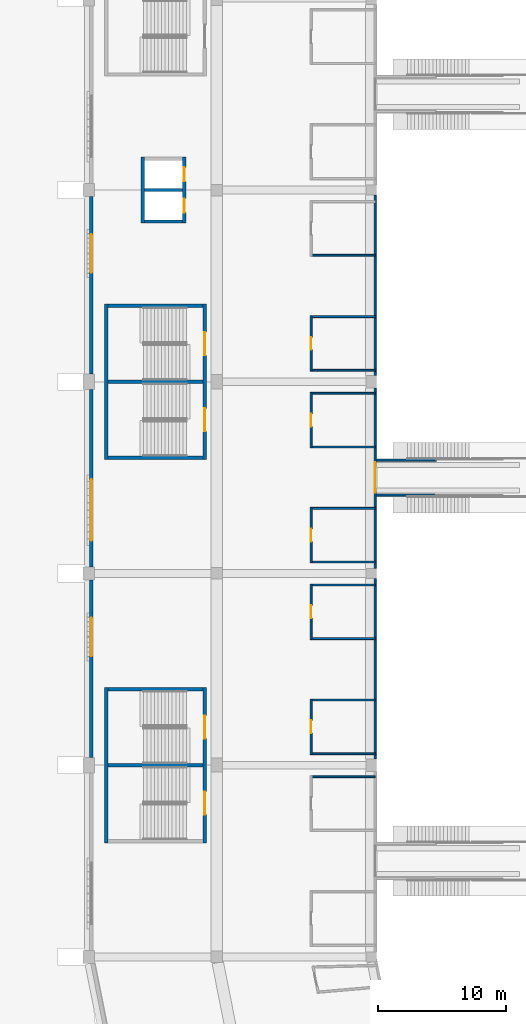
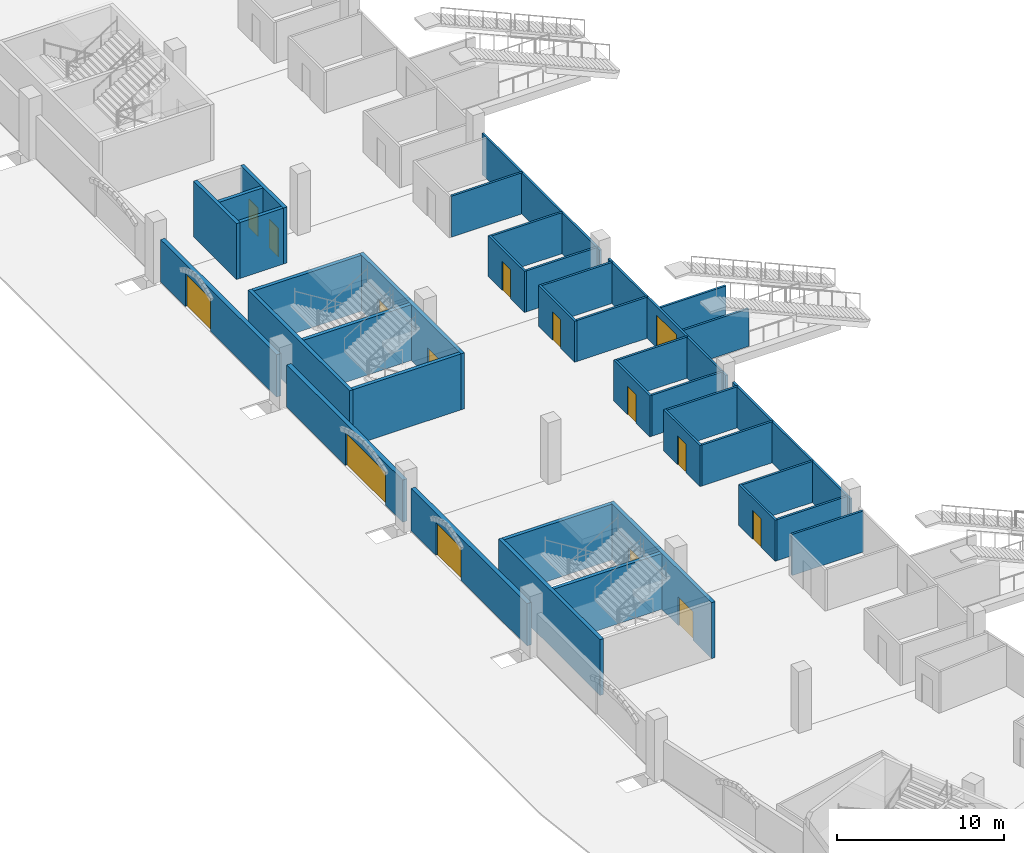
# One storey, part 30 of 175: 38 walls, 15 doors, 15 openings.
"""IFC4 building model written with IfcOpenShell, lengths in metres."""

import ifcopenshell
import ifcopenshell.guid

model = None  # the IFC model being written
_history = None  # IfcOwnerHistory: only IFC2X3 demands one
_inside = {}  # id of a spatial element -> (the spatial element, [elements in it])
_under = {}  # id of a project, library or spatial element -> (it, [spatial elements below it])
_declared = {}  # id of a project -> (the project, [libraries it declares])
_typed = {}  # id of a type object -> (the type object, [elements of that type])
_made_of = {}  # id of a material, layer set ... -> (it, [elements and type objects made of it])


def new_model(schema):
    """Start an empty IFC model of exactly this schema.

    Asked for "IFC4X3", IfcOpenShell would pick the latest addendum, in which some entities
    have other attributes; the version numbers below select the first issue.
    IFC2X3 requires an IfcOwnerHistory on every rooted entity: one is made here for all.
    """
    global model, _history
    if schema == "IFC4X3":
        model = ifcopenshell.file(schema_version=(4, 3, 0, 0))
    else:
        model = ifcopenshell.file(schema=schema)
    _inside.clear()
    _under.clear()
    _declared.clear()
    _typed.clear()
    _made_of.clear()
    _history = None
    if model.schema == "IFC2X3":
        org = make("IfcOrganization", Name="unknown")
        user = make(
            "IfcPersonAndOrganization",
            ThePerson=make("IfcPerson", FamilyName="unknown"),
            TheOrganization=org,
        )
        app = make(
            "IfcApplication",
            ApplicationDeveloper=org,
            Version="unknown",
            ApplicationFullName="unknown",
            ApplicationIdentifier="unknown",
        )
        _history = make(
            "IfcOwnerHistory",
            OwningUser=user,
            OwningApplication=app,
            ChangeAction="ADDED",
            CreationDate=0,
        )
    return model


def make(cls, **values):
    """One entity of the class cls with the attributes given. An attribute that is None is left unset."""
    return model.create_entity(
        cls, **{name: value for name, value in values.items() if value is not None}
    )


def rooted(cls, **values):
    """An entity with a GlobalId (a new one), such as an element, a storey or a relation."""
    return make(cls, GlobalId=ifcopenshell.guid.new(), OwnerHistory=_history, **values)


def si_unit(unit_type, name, prefix=None):
    """IfcSIUnit, for example si_unit("LENGTHUNIT", "METRE", prefix="MILLI")."""
    return make("IfcSIUnit", UnitType=unit_type, Prefix=prefix, Name=name)


def assignment(units):
    """IfcUnitAssignment: the units of a project."""
    return None if units is None else make("IfcUnitAssignment", Units=units)


def point(xyz):
    """IfcCartesianPoint."""
    return None if xyz is None else make("IfcCartesianPoint", Coordinates=xyz)


def direction(xyz):
    """IfcDirection."""
    return None if xyz is None else make("IfcDirection", DirectionRatios=xyz)


def frame(location, z_axis=None, x_axis=None):
    """IfcAxis2Placement3D, a coordinate frame: its origin and axes. An axis left out is left unset."""
    return make(
        "IfcAxis2Placement3D",
        Location=point(location),
        Axis=direction(z_axis),
        RefDirection=direction(x_axis),
    )


def frame_2d(location, x_axis=None):
    """IfcAxis2Placement2D, a coordinate frame in the plane: its origin and x axis."""
    return make(
        "IfcAxis2Placement2D", Location=point(location), RefDirection=direction(x_axis)
    )


def origin():
    """The frame at (0, 0, 0) with its axes left unset."""
    return frame((0.0, 0.0, 0.0))


def place(relative_to, where):
    """IfcLocalPlacement: puts the frame where relative to a parent placement (None: the world)."""
    return make(
        "IfcLocalPlacement", PlacementRelTo=relative_to, RelativePlacement=where
    )


def context(
    kind, dimensions, precision=None, world=None, true_north=None, identifier=None
):
    """IfcGeometricRepresentationContext, for example the 3D "Model" context."""
    return make(
        "IfcGeometricRepresentationContext",
        ContextIdentifier=identifier,
        ContextType=kind,
        CoordinateSpaceDimension=dimensions,
        Precision=precision,
        WorldCoordinateSystem=world,
        TrueNorth=true_north,
    )


def subcontext(parent, identifier, kind, view, scale=None):
    """IfcGeometricRepresentationSubContext, for example "Body" below "Model"."""
    return make(
        "IfcGeometricRepresentationSubContext",
        ContextIdentifier=identifier,
        ContextType=kind,
        ParentContext=parent,
        TargetScale=scale,
        TargetView=view,
    )


def project(units=None, contexts=None):
    """IfcProject with its units and contexts."""
    return rooted(
        "IfcProject",
        Name="project",
        RepresentationContexts=contexts,
        UnitsInContext=assignment(units),
    )


def spatial(cls, under=None, at=None, **own):
    """A site, building, storey or space (cls), placed at a placement, below another one or the project."""
    s = rooted(cls, ObjectPlacement=at, **own)
    if under is not None:
        _under.setdefault(under.id(), (under, []))[1].append(s)
    return s


def profile(cls, at=None, kind="AREA", **sizes):
    """A parametric profile (cls). Its sizes go by their IFC names, for example OverallWidth=200.0."""
    return make(cls, ProfileType=kind, Position=at, **sizes)


def rectangle(**sizes):
    """IfcRectangleProfileDef."""
    return profile("IfcRectangleProfileDef", **sizes)


def extrude(swept, where, along, depth):
    """IfcExtrudedAreaSolid: the profile swept, set in the frame where, extruded along a direction by depth."""
    return make(
        "IfcExtrudedAreaSolid",
        SweptArea=swept,
        Position=where,
        ExtrudedDirection=direction(along),
        Depth=depth,
    )


def shape(context_of_items, identifier, shape_type, items):
    """IfcShapeRepresentation: the items that make up one representation, for example the "Body"."""
    return make(
        "IfcShapeRepresentation",
        ContextOfItems=context_of_items,
        RepresentationIdentifier=identifier,
        RepresentationType=shape_type,
        Items=items,
    )


def material(Name=None, Category=None):
    """IfcMaterial."""
    return make("IfcMaterial", Name=Name, Category=Category)


def layer(
    of_material, thickness, ventilated=None, Name=None, Category=None, Priority=None
):
    """IfcMaterialLayer: one layer of a wall or slab, of a material (None: an air gap)."""
    return make(
        "IfcMaterialLayer",
        Material=of_material,
        LayerThickness=thickness,
        IsVentilated=ventilated,
        Name=Name,
        Category=Category,
        Priority=Priority,
    )


def layer_set(layers, Name=None):
    """IfcMaterialLayerSet."""
    return make("IfcMaterialLayerSet", MaterialLayers=layers, LayerSetName=Name)


def made_of(thing, what):
    """Note that an element or type object is made of a material, layer set ...; save() writes the relation."""
    if what is not None:
        _made_of.setdefault(what.id(), (what, []))[1].append(thing)
    return thing


def type_object(cls, material=None, **own):
    """A type object (cls), such as IfcWallType, which elements share."""
    return made_of(rooted(cls, **own), material)


def element(
    cls,
    number,
    at=None,
    inside=None,
    cuts=None,
    type_object=None,
    material=None,
    context=None,
    identifier="Body",
    shape_type=None,
    held_by="IfcProductDefinitionShape",
    body=None,
    shapes=None,
    **own,
):
    """One element of the class cls, such as IfcWall. Its Tag is "e" and its number.

    at: its placement. inside: the storey or other place that contains it. cuts: it is an
    opening in that element (IfcRelVoidsElement). A single representation is given by context,
    identifier, shape_type and body (its items); several are given by shapes. held_by: the class
    of the entity that holds the representations. save() writes the other relations.
    """
    e = rooted(cls, Tag="e%d" % number, ObjectPlacement=at, **own)
    if body is not None:
        shapes = [shape(context, identifier, shape_type, body)]
    if shapes is not None:
        e.Representation = make(held_by, Representations=shapes)
    if inside is not None:
        _inside.setdefault(inside.id(), (inside, []))[1].append(e)
    if cuts is not None:
        rooted(
            "IfcRelVoidsElement", RelatingBuildingElement=cuts, RelatedOpeningElement=e
        )
    if type_object is not None:
        _typed.setdefault(type_object.id(), (type_object, []))[1].append(e)
    return made_of(e, material)


def fill(opening, filler):
    """IfcRelFillsElement: the door or window that sits in an opening."""
    return rooted(
        "IfcRelFillsElement",
        RelatingOpeningElement=opening,
        RelatedBuildingElement=filler,
    )


def aggregate(whole, parts):
    """IfcRelAggregates: a whole, such as a stair, and the parts it consists of."""
    return rooted("IfcRelAggregates", RelatingObject=whole, RelatedObjects=parts)


def save(model, path):
    """Write the relations noted so far, then the file.

    IfcRelAggregates (storeys below a building ...), IfcRelContainedInSpatialStructure (elements
    in a storey), IfcRelDefinesByType, IfcRelAssociatesMaterial and IfcRelDeclares: one each for
    every whole, place, type object, material and project.
    """
    for whole, parts in _under.values():
        aggregate(whole, parts)
    for where, things in _inside.values():
        rooted(
            "IfcRelContainedInSpatialStructure",
            RelatedElements=things,
            RelatingStructure=where,
        )
    for kind, things in _typed.values():
        rooted("IfcRelDefinesByType", RelatedObjects=things, RelatingType=kind)
    for what, things in _made_of.values():
        rooted("IfcRelAssociatesMaterial", RelatedObjects=things, RelatingMaterial=what)
    for by, libraries in _declared.values():
        rooted("IfcRelDeclares", RelatingContext=by, RelatedDefinitions=libraries)
    model.write(path)


model = new_model("IFC4")

# Units and contexts
model_context = context("Model", 3, precision=1e-05, world=origin(), true_north=direction((0.0, 1.0)))
body_context = subcontext(model_context, "Body", "Model", "MODEL_VIEW")
ifc_project = project(units=[si_unit("LENGTHUNIT", "METRE"), si_unit("AREAUNIT", "SQUARE_METRE"), si_unit("VOLUMEUNIT", "CUBIC_METRE"), si_unit("PLANEANGLEUNIT", "RADIAN"), si_unit("MASSUNIT", "GRAM", prefix="KILO")], contexts=[model_context])

# Site, building, storey
site_placement = place(None, origin())
site = spatial("IfcSite", under=ifc_project, at=site_placement, CompositionType="ELEMENT")
building_placement = place(site_placement, origin())
building = spatial("IfcBuilding", under=site, at=building_placement, Name="Ogive Plaza Stadium", CompositionType="ELEMENT")
storey_placement = place(building_placement, origin())
storey = spatial("IfcBuildingStorey", under=building, at=storey_placement, Name="L00", CompositionType="ELEMENT", Elevation=0.0)

# Wall
ifc_material_1 = material(Name="Masonry blockwork", Category="masonry")
ifc_layer_1 = layer(ifc_material_1, 0.14990234375)
ifc_layer_set_1 = layer_set([ifc_layer_1], Name="Blockwork wall 150")
wall_type_1 = type_object("IfcWallType", Name="Blockwork wall 150", PredefinedType="SOLIDWALL", material=ifc_layer_set_1)
wall_1_placement = place(storey_placement, frame((-61.60009765625, -38.39990234375, 0.0), z_axis=(0.0, 0.0, 1.0), x_axis=(-1.0, 0.0, 0.0)))
element("IfcWall", 1, at=wall_1_placement, inside=storey, type_object=wall_type_1, Name="Wall L00 B21", PredefinedType="SOLIDWALL", context=body_context, shape_type="SweptSolid", body=[
    extrude(rectangle(XDim=4.9248046875, YDim=0.14990234375, at=frame_2d((2.46240234375, 0.0))), origin(), (0.0, 0.0, 1.0), 3.0),
])

# Wall, opening, door
wall_2_placement = place(storey_placement, frame((-66.60009765625, -36.675048828125, 0.0), z_axis=(0.0, 0.0, 1.0), x_axis=(0.0, 1.0, 0.0)))
wall_2 = element("IfcWall", 2, at=wall_2_placement, inside=storey, type_object=wall_type_1, Name="Wall L00 B22", PredefinedType="SOLIDWALL", context=body_context, shape_type="SweptSolid", body=[
    extrude(rectangle(XDim=4.35009765625, YDim=0.14990234375, at=frame_2d((2.175048828125, 0.0))), origin(), (0.0, 0.0, 1.0), 3.0),
])
opening_1_placement = place(wall_2_placement, frame((1.675048828125, 0.0, 0.0)))
opening_1 = element("IfcOpeningElement", 3, at=opening_1_placement, cuts=wall_2, Name="Opening D0424", PredefinedType="OPENING", context=body_context, shape_type="SweptSolid", body=[
    extrude(rectangle(XDim=1.0, YDim=2.10009765625, at=frame_2d((0.5, 1.050048828125))), frame((0.0, 0.074951171875, 0.0), z_axis=(0.0, -1.0, 0.0), x_axis=(1.0, 0.0, 0.0)), (0.0, 0.0, 1.0), 0.14990234375),
])
ifc_material_2 = material(Name="Steel ASTM A572 Grade 50", Category="steel")
door_type_1 = type_object("IfcDoorType", Name="Door 1000 x 2100", OperationType="SINGLE_SWING_LEFT", PredefinedType="DOOR", material=ifc_material_2)
door_1_placement = place(opening_1_placement, origin())
door_1 = element("IfcDoor", 4, at=door_1_placement, inside=storey, type_object=door_type_1, Name="Concession Stand B22 door", OperationType="SINGLE_SWING_LEFT", OverallHeight=2.10009765625, OverallWidth=1.0, PredefinedType="DOOR", context=body_context, shape_type="SweptSolid", body=[
    extrude(rectangle(XDim=1.0, YDim=2.10009765625, at=frame_2d((0.5, 1.050048828125))), frame((0.0, 0.02490234375, 0.0), z_axis=(0.0, -1.0, 0.0), x_axis=(1.0, 0.0, 0.0)), (0.0, 0.0, 1.0), 0.050048828125),
])
fill(opening_1, door_1)

# Walls
for number, where, z_axis, x_axis, name in (
    (5, (-61.60009765625, -36.60009765625, 0.0), (0.0, 0.0, 1.0), (-1.0, 0.0, 0.0), "Wall L00 B22"),
    (6, (-61.60009765625, -32.39990234375, 0.0), (0.0, 0.0, 1.0), (-1.0, 0.0, 0.0), "Wall L00 B22"),
):
    element("IfcWall", number, at=place(storey_placement, frame(where, z_axis=z_axis, x_axis=x_axis)), inside=storey, type_object=wall_type_1, Name=name, PredefinedType="SOLIDWALL", context=body_context, shape_type="SweptSolid", body=[
        extrude(rectangle(XDim=4.9248046875, YDim=0.14990234375, at=frame_2d((2.46240234375, 0.0))), origin(), (0.0, 0.0, 1.0), 3.0),
    ])

# Wall, opening, door
wall_3_placement = place(storey_placement, frame((-66.60009765625, -27.675048828125, 0.0), z_axis=(0.0, 0.0, 1.0), x_axis=(0.0, 1.0, 0.0)))
wall_3 = element("IfcWall", 7, at=wall_3_placement, inside=storey, type_object=wall_type_1, Name="Wall L00 B22", PredefinedType="SOLIDWALL", context=body_context, shape_type="SweptSolid", body=[
    extrude(rectangle(XDim=4.35009765625, YDim=0.14990234375, at=frame_2d((2.175048828125, 0.0))), origin(), (0.0, 0.0, 1.0), 3.0),
])
opening_2_placement = place(wall_3_placement, frame((1.675048828125, 0.0, 0.0)))
opening_2 = element("IfcOpeningElement", 8, at=opening_2_placement, cuts=wall_3, Name="Opening D0425", PredefinedType="OPENING", context=body_context, shape_type="SweptSolid", body=[
    extrude(rectangle(XDim=1.0, YDim=2.10009765625, at=frame_2d((0.5, 1.050048828125))), frame((0.0, 0.074951171875, 0.0), z_axis=(0.0, -1.0, 0.0), x_axis=(1.0, 0.0, 0.0)), (0.0, 0.0, 1.0), 0.14990234375),
])
door_2_placement = place(opening_2_placement, origin())
door_2 = element("IfcDoor", 9, at=door_2_placement, inside=storey, type_object=door_type_1, Name="Concession Stand B22 door", OperationType="SINGLE_SWING_RIGHT", OverallHeight=2.10009765625, OverallWidth=1.0, PredefinedType="DOOR", context=body_context, shape_type="SweptSolid", body=[
    extrude(rectangle(XDim=1.0, YDim=2.10009765625, at=frame_2d((0.5, 1.050048828125))), frame((0.0, 0.02490234375, 0.0), z_axis=(0.0, -1.0, 0.0), x_axis=(1.0, 0.0, 0.0)), (0.0, 0.0, 1.0), 0.050048828125),
])
fill(opening_2, door_2)

# Walls
for number, where, z_axis, x_axis, name in (
    (10, (-61.60009765625, -27.60009765625, 0.0), (0.0, 0.0, 1.0), (-1.0, 0.0, 0.0), "Wall L00 B22"),
    (11, (-61.60009765625, -23.39990234375, 0.0), (0.0, 0.0, 1.0), (-1.0, 0.0, 0.0), "Wall L00 B22"),
):
    element("IfcWall", number, at=place(storey_placement, frame(where, z_axis=z_axis, x_axis=x_axis)), inside=storey, type_object=wall_type_1, Name=name, PredefinedType="SOLIDWALL", context=body_context, shape_type="SweptSolid", body=[
        extrude(rectangle(XDim=4.9248046875, YDim=0.14990234375, at=frame_2d((2.46240234375, 0.0))), origin(), (0.0, 0.0, 1.0), 3.0),
    ])

# Wall, opening, door
wall_4_placement = place(storey_placement, frame((-66.60009765625, -8.324951171875, 0.0), z_axis=(0.0, 0.0, 1.0), x_axis=(0.0, -1.0, 0.0)))
wall_4 = element("IfcWall", 12, at=wall_4_placement, inside=storey, type_object=wall_type_1, Name="Wall L00 B23", PredefinedType="SOLIDWALL", context=body_context, shape_type="SweptSolid", body=[
    extrude(rectangle(XDim=4.35009765625, YDim=0.14990234375, at=frame_2d((2.175048828125, 0.0))), origin(), (0.0, 0.0, 1.0), 3.0),
])
opening_3_placement = place(wall_4_placement, frame((1.675048828125, 0.0, 0.0)))
opening_3 = element("IfcOpeningElement", 13, at=opening_3_placement, cuts=wall_4, Name="Opening D0426", PredefinedType="OPENING", context=body_context, shape_type="SweptSolid", body=[
    extrude(rectangle(XDim=1.0, YDim=2.10009765625, at=frame_2d((0.5, 1.050048828125))), frame((0.0, 0.074951171875, 0.0), z_axis=(0.0, -1.0, 0.0), x_axis=(1.0, 0.0, 0.0)), (0.0, 0.0, 1.0), 0.14990234375),
])
door_3_placement = place(opening_3_placement, origin())
door_3 = element("IfcDoor", 14, at=door_3_placement, inside=storey, type_object=door_type_1, Name="Concession Stand B23 door", OperationType="SINGLE_SWING_RIGHT", OverallHeight=2.10009765625, OverallWidth=1.0, PredefinedType="DOOR", context=body_context, shape_type="SweptSolid", body=[
    extrude(rectangle(XDim=1.0, YDim=2.10009765625, at=frame_2d((0.5, 1.050048828125))), frame((0.0, 0.02490234375, 0.0), z_axis=(0.0, -1.0, 0.0), x_axis=(1.0, 0.0, 0.0)), (0.0, 0.0, 1.0), 0.050048828125),
])
fill(opening_3, door_3)

# Walls
for number, where, z_axis, x_axis, name in (
    (15, (-61.60009765625, -8.39990234375, 0.0), (0.0, 0.0, 1.0), (-1.0, 0.0, 0.0), "Wall L00 B23"),
    (16, (-61.60009765625, -12.60009765625, 0.0), (0.0, 0.0, 1.0), (-1.0, 0.0, 0.0), "Wall L00 B23"),
):
    element("IfcWall", number, at=place(storey_placement, frame(where, z_axis=z_axis, x_axis=x_axis)), inside=storey, type_object=wall_type_1, Name=name, PredefinedType="SOLIDWALL", context=body_context, shape_type="SweptSolid", body=[
        extrude(rectangle(XDim=4.9248046875, YDim=0.14990234375, at=frame_2d((2.46240234375, 0.0))), origin(), (0.0, 0.0, 1.0), 3.0),
    ])

# Wall, opening, door
wall_5_placement = place(storey_placement, frame((-66.60009765625, -17.324951171875, 0.0), z_axis=(0.0, 0.0, 1.0), x_axis=(0.0, -1.0, 0.0)))
wall_5 = element("IfcWall", 17, at=wall_5_placement, inside=storey, type_object=wall_type_1, Name="Wall L00 B23", PredefinedType="SOLIDWALL", context=body_context, shape_type="SweptSolid", body=[
    extrude(rectangle(XDim=4.35009765625, YDim=0.14990234375, at=frame_2d((2.175048828125, 0.0))), origin(), (0.0, 0.0, 1.0), 3.0),
])
opening_4_placement = place(wall_5_placement, frame((1.675048828125, 0.0, 0.0)))
opening_4 = element("IfcOpeningElement", 18, at=opening_4_placement, cuts=wall_5, Name="Opening D0427", PredefinedType="OPENING", context=body_context, shape_type="SweptSolid", body=[
    extrude(rectangle(XDim=1.0, YDim=2.10009765625, at=frame_2d((0.5, 1.050048828125))), frame((0.0, 0.074951171875, 0.0), z_axis=(0.0, -1.0, 0.0), x_axis=(1.0, 0.0, 0.0)), (0.0, 0.0, 1.0), 0.14990234375),
])
door_4_placement = place(opening_4_placement, origin())
door_4 = element("IfcDoor", 19, at=door_4_placement, inside=storey, type_object=door_type_1, Name="Concession Stand B23 door", OperationType="SINGLE_SWING_LEFT", OverallHeight=2.10009765625, OverallWidth=1.0, PredefinedType="DOOR", context=body_context, shape_type="SweptSolid", body=[
    extrude(rectangle(XDim=1.0, YDim=2.10009765625, at=frame_2d((0.5, 1.050048828125))), frame((0.0, 0.02490234375, 0.0), z_axis=(0.0, -1.0, 0.0), x_axis=(1.0, 0.0, 0.0)), (0.0, 0.0, 1.0), 0.050048828125),
])
fill(opening_4, door_4)

# Walls
for number, where, z_axis, x_axis, name in (
    (20, (-61.60009765625, -17.39990234375, 0.0), (0.0, 0.0, 1.0), (-1.0, 0.0, 0.0), "Wall L00 B23"),
    (21, (-61.60009765625, -21.60009765625, 0.0), (0.0, 0.0, 1.0), (-1.0, 0.0, 0.0), "Wall L00 B23"),
):
    element("IfcWall", number, at=place(storey_placement, frame(where, z_axis=z_axis, x_axis=x_axis)), inside=storey, type_object=wall_type_1, Name=name, PredefinedType="SOLIDWALL", context=body_context, shape_type="SweptSolid", body=[
        extrude(rectangle(XDim=4.9248046875, YDim=0.14990234375, at=frame_2d((2.46240234375, 0.0))), origin(), (0.0, 0.0, 1.0), 3.0),
    ])

# Wall, opening, door
wall_6_placement = place(storey_placement, frame((-66.60009765625, -6.675048828125, 0.0), z_axis=(0.0, 0.0, 1.0), x_axis=(0.0, 1.0, 0.0)))
wall_6 = element("IfcWall", 22, at=wall_6_placement, inside=storey, type_object=wall_type_1, Name="Wall L00 B24", PredefinedType="SOLIDWALL", context=body_context, shape_type="SweptSolid", body=[
    extrude(rectangle(XDim=4.35009765625, YDim=0.14990234375, at=frame_2d((2.175048828125, 0.0))), origin(), (0.0, 0.0, 1.0), 3.0),
])
opening_5_placement = place(wall_6_placement, frame((1.675048828125, 0.0, 0.0)))
opening_5 = element("IfcOpeningElement", 23, at=opening_5_placement, cuts=wall_6, Name="Opening D0428", PredefinedType="OPENING", context=body_context, shape_type="SweptSolid", body=[
    extrude(rectangle(XDim=1.0, YDim=2.10009765625, at=frame_2d((0.5, 1.050048828125))), frame((0.0, 0.074951171875, 0.0), z_axis=(0.0, -1.0, 0.0), x_axis=(1.0, 0.0, 0.0)), (0.0, 0.0, 1.0), 0.14990234375),
])
door_5_placement = place(opening_5_placement, origin())
door_5 = element("IfcDoor", 24, at=door_5_placement, inside=storey, type_object=door_type_1, Name="Concession Stand B24 door", OperationType="SINGLE_SWING_LEFT", OverallHeight=2.10009765625, OverallWidth=1.0, PredefinedType="DOOR", context=body_context, shape_type="SweptSolid", body=[
    extrude(rectangle(XDim=1.0, YDim=2.10009765625, at=frame_2d((0.5, 1.050048828125))), frame((0.0, 0.02490234375, 0.0), z_axis=(0.0, -1.0, 0.0), x_axis=(1.0, 0.0, 0.0)), (0.0, 0.0, 1.0), 0.050048828125),
])
fill(opening_5, door_5)

# Walls
for number, where, z_axis, x_axis, name in (
    (25, (-61.60009765625, -6.60009765625, 0.0), (0.0, 0.0, 1.0), (-1.0, 0.0, 0.0), "Wall L00 B24"),
    (26, (-61.60009765625, -2.39990234375, 0.0), (0.0, 0.0, 1.0), (-1.0, 0.0, 0.0), "Wall L00 B24"),
    (27, (-61.60009765625, 2.39990234375, 0.0), (0.0, 0.0, 1.0), (-1.0, 0.0, 0.0), "Wall L00 B24"),
):
    element("IfcWall", number, at=place(storey_placement, frame(where, z_axis=z_axis, x_axis=x_axis)), inside=storey, type_object=wall_type_1, Name=name, PredefinedType="SOLIDWALL", context=body_context, shape_type="SweptSolid", body=[
        extrude(rectangle(XDim=4.9248046875, YDim=0.14990234375, at=frame_2d((2.46240234375, 0.0))), origin(), (0.0, 0.0, 1.0), 3.0),
    ])
wall_7_placement = place(storey_placement, frame((-61.60009765625, -37.0, 0.0), z_axis=(0.0, 0.0, 1.0), x_axis=(0.0, 1.0, 0.0)))
element("IfcWall", 28, at=wall_7_placement, inside=storey, type_object=wall_type_1, Name="Stand rear wall B22", PredefinedType="SOLIDWALL", context=body_context, shape_type="SweptSolid", body=[
    extrude(rectangle(XDim=14.10009765625, YDim=0.14990234375, at=frame_2d((7.050048828125, 0.0))), origin(), (0.0, 0.0, 1.0), 3.0),
])

# Wall, opening, door
wall_8_placement = place(storey_placement, frame((-61.60009765625, -22.10009765625, 0.0), z_axis=(0.0, 0.0, 1.0), x_axis=(0.0, 1.0, 0.0)))
wall_8 = element("IfcWall", 29, at=wall_8_placement, inside=storey, type_object=wall_type_1, Name="Stand rear wall B23", PredefinedType="SOLIDWALL", context=body_context, shape_type="SweptSolid", body=[
    extrude(rectangle(XDim=14.10009765625, YDim=0.14990234375, at=frame_2d((7.050048828125, 0.0))), origin(), (0.0, 0.0, 1.0), 3.0),
])
opening_6_placement = place(wall_8_placement, frame((5.89990234375, 0.0, 0.0)))
opening_6 = element("IfcOpeningElement", 30, at=opening_6_placement, cuts=wall_8, Name="Opening D1048", PredefinedType="OPENING", context=body_context, shape_type="SweptSolid", body=[
    extrude(rectangle(XDim=2.39990234375, YDim=2.39990234375, at=frame_2d((1.199951171875, 1.199951171875))), frame((0.0, 0.074951171875, 0.0), z_axis=(0.0, -1.0, 0.0), x_axis=(1.0, 0.0, 0.0)), (0.0, 0.0, 1.0), 0.14990234375),
])
ifc_material_3 = material(Name="Steel ASTM A572 Grade 50", Category="steel")
door_type_2 = type_object("IfcDoorType", Name="Service door pair 2400 x 2400", OperationType="DOUBLE_DOOR_SINGLE_SWING", PredefinedType="DOOR", material=ifc_material_3)
door_6_placement = place(opening_6_placement, origin())
door_6 = element("IfcDoor", 31, at=door_6_placement, inside=storey, type_object=door_type_2, Name="Vomitory portal door B23", OperationType="DOUBLE_DOOR_SINGLE_SWING", OverallHeight=2.39990234375, OverallWidth=2.39990234375, PredefinedType="DOOR", context=body_context, shape_type="SweptSolid", body=[
    extrude(rectangle(XDim=2.39990234375, YDim=2.39990234375, at=frame_2d((1.199951171875, 1.199951171875))), frame((0.0, 0.02490234375, 0.0), z_axis=(0.0, -1.0, 0.0), x_axis=(1.0, 0.0, 0.0)), (0.0, 0.0, 1.0), 0.050048828125),
])
fill(opening_6, door_6)

# Wall
wall_9_placement = place(storey_placement, frame((-61.60009765625, -7.0, 0.0), z_axis=(0.0, 0.0, 1.0), x_axis=(0.0, 1.0, 0.0)))
element("IfcWall", 32, at=wall_9_placement, inside=storey, type_object=wall_type_1, Name="Stand rear wall B24", PredefinedType="SOLIDWALL", context=body_context, shape_type="SweptSolid", body=[
    extrude(rectangle(XDim=14.10009765625, YDim=0.14990234375, at=frame_2d((7.050048828125, 0.0))), origin(), (0.0, 0.0, 1.0), 3.0),
])

# Wall, openings, doors
ifc_material_4 = material(Name="Concrete C40/50", Category="concrete")
ifc_layer_2 = layer(ifc_material_4, 0.25)
ifc_layer_set_2 = layer_set([ifc_layer_2], Name="Concrete C40/50")
wall_type_2 = type_object("IfcWallType", Name="Core wall 250", PredefinedType="SHEAR", material=ifc_layer_set_2)
wall_10_placement = place(storey_placement, frame((-74.925048828125, -31.425048828125, 0.0), z_axis=(0.0, 0.0, 1.0), x_axis=(0.0, -1.0, 0.0)))
wall_10 = element("IfcWall", 33, at=wall_10_placement, inside=storey, type_object=wall_type_2, Name="Stair core R22 inner wall", PredefinedType="SHEAR", context=body_context, shape_type="SweptSolid", body=[
    extrude(rectangle(XDim=12.14990234375, YDim=0.25, at=frame_2d((6.074951171875, 0.0))), origin(), (0.0, 0.0, 1.0), 4.090087890625),
])
opening_7_placement = place(wall_10_placement, frame((2.199951171875, 0.0, 0.0)))
opening_7 = element("IfcOpeningElement", 34, at=opening_7_placement, cuts=wall_10, Name="Opening D0171", PredefinedType="OPENING", context=body_context, shape_type="SweptSolid", body=[
    extrude(rectangle(XDim=1.800048828125, YDim=2.10009765625, at=frame_2d((0.89990234375, 1.050048828125))), frame((0.0, 0.125, 0.0), z_axis=(0.0, -1.0, 0.0), x_axis=(1.0, 0.0, 0.0)), (0.0, 0.0, 1.0), 0.25),
])
opening_8_placement = place(wall_10_placement, frame((8.14990234375, 0.0, 0.0)))
opening_8 = element("IfcOpeningElement", 35, at=opening_8_placement, cuts=wall_10, Name="Opening D0172", PredefinedType="OPENING", context=body_context, shape_type="SweptSolid", body=[
    extrude(rectangle(XDim=1.800048828125, YDim=2.10009765625, at=frame_2d((0.89990234375, 1.050048828125))), frame((0.0, 0.125, 0.0), z_axis=(0.0, -1.0, 0.0), x_axis=(1.0, 0.0, 0.0)), (0.0, 0.0, 1.0), 0.25),
])
ifc_material_5 = material(Name="Steel ASTM A572 Grade 50", Category="steel")
door_type_3 = type_object("IfcDoorType", Name="Fire door FD90 pair 1800 x 2100", OperationType="DOUBLE_DOOR_SINGLE_SWING", PredefinedType="DOOR", material=ifc_material_5)
door_7_placement = place(opening_7_placement, origin())
door_7 = element("IfcDoor", 36, at=door_7_placement, inside=storey, type_object=door_type_3, Name="Exit stair R22A door L00", OperationType="DOUBLE_DOOR_SINGLE_SWING", OverallHeight=2.10009765625, OverallWidth=1.800048828125, PredefinedType="DOOR", context=body_context, shape_type="SweptSolid", body=[
    extrude(rectangle(XDim=1.800048828125, YDim=2.10009765625, at=frame_2d((0.89990234375, 1.050048828125))), frame((0.0, 0.02490234375, 0.0), z_axis=(0.0, -1.0, 0.0), x_axis=(1.0, 0.0, 0.0)), (0.0, 0.0, 1.0), 0.050048828125),
])
fill(opening_7, door_7)
door_8_placement = place(opening_8_placement, origin())
door_8 = element("IfcDoor", 37, at=door_8_placement, inside=storey, type_object=door_type_3, Name="Exit stair R22B door L00", OperationType="DOUBLE_DOOR_SINGLE_SWING", OverallHeight=2.10009765625, OverallWidth=1.800048828125, PredefinedType="DOOR", context=body_context, shape_type="SweptSolid", body=[
    extrude(rectangle(XDim=1.800048828125, YDim=2.10009765625, at=frame_2d((0.89990234375, 1.050048828125))), frame((0.0, 0.02490234375, 0.0), z_axis=(0.0, -1.0, 0.0), x_axis=(1.0, 0.0, 0.0)), (0.0, 0.0, 1.0), 0.050048828125),
])
fill(opening_8, door_8)

# Walls
wall_11_placement = place(storey_placement, frame((-82.635009765625, -31.425048828125, 0.0), z_axis=(0.0, 0.0, 1.0), x_axis=(0.0, -1.0, 0.0)))
element("IfcWall", 38, at=wall_11_placement, inside=storey, type_object=wall_type_2, Name="Stair core R22 outer wall", PredefinedType="SHEAR", context=body_context, shape_type="SweptSolid", body=[
    extrude(rectangle(XDim=12.14990234375, YDim=0.25, at=frame_2d((6.074951171875, 0.0))), origin(), (0.0, 0.0, 1.0), 4.090087890625),
])
for number, where, z_axis, x_axis, name in (
    (39, (-75.050048828125, -31.550048828125, 0.0), (0.0, 0.0, 1.0), (-1.0, 0.0, 0.0), "Stair core R22 side wall"),
    (40, (-75.050048828125, -37.5, 0.0), (0.0, 0.0, 1.0), (-1.0, 0.0, 0.0), "Stair core R22 centre wall"),
):
    element("IfcWall", number, at=place(storey_placement, frame(where, z_axis=z_axis, x_axis=x_axis)), inside=storey, type_object=wall_type_2, Name=name, PredefinedType="SHEAR", context=body_context, shape_type="SweptSolid", body=[
        extrude(rectangle(XDim=7.4599609375, YDim=0.25, at=frame_2d((3.72998046875, 0.0))), origin(), (0.0, 0.0, 1.0), 4.090087890625),
    ])

# Wall, openings, doors
wall_12_placement = place(storey_placement, frame((-74.925048828125, -1.425048828125, 0.0), z_axis=(0.0, 0.0, 1.0), x_axis=(0.0, -1.0, 0.0)))
wall_12 = element("IfcWall", 41, at=wall_12_placement, inside=storey, type_object=wall_type_2, Name="Stair core R24 inner wall", PredefinedType="SHEAR", context=body_context, shape_type="SweptSolid", body=[
    extrude(rectangle(XDim=12.14990234375, YDim=0.25, at=frame_2d((6.074951171875, 0.0))), origin(), (0.0, 0.0, 1.0), 4.090087890625),
])
opening_9_placement = place(wall_12_placement, frame((2.199951171875, 0.0, 0.0)))
opening_9 = element("IfcOpeningElement", 42, at=opening_9_placement, cuts=wall_12, Name="Opening D0183", PredefinedType="OPENING", context=body_context, shape_type="SweptSolid", body=[
    extrude(rectangle(XDim=1.800048828125, YDim=2.10009765625, at=frame_2d((0.89990234375, 1.050048828125))), frame((0.0, 0.125, 0.0), z_axis=(0.0, -1.0, 0.0), x_axis=(1.0, 0.0, 0.0)), (0.0, 0.0, 1.0), 0.25),
])
opening_10_placement = place(wall_12_placement, frame((8.14990234375, 0.0, 0.0)))
opening_10 = element("IfcOpeningElement", 43, at=opening_10_placement, cuts=wall_12, Name="Opening D0184", PredefinedType="OPENING", context=body_context, shape_type="SweptSolid", body=[
    extrude(rectangle(XDim=1.800048828125, YDim=2.10009765625, at=frame_2d((0.89990234375, 1.050048828125))), frame((0.0, 0.125, 0.0), z_axis=(0.0, -1.0, 0.0), x_axis=(1.0, 0.0, 0.0)), (0.0, 0.0, 1.0), 0.25),
])
door_9_placement = place(opening_9_placement, origin())
door_9 = element("IfcDoor", 44, at=door_9_placement, inside=storey, type_object=door_type_3, Name="Exit stair R24A door L00", OperationType="DOUBLE_DOOR_SINGLE_SWING", OverallHeight=2.10009765625, OverallWidth=1.800048828125, PredefinedType="DOOR", context=body_context, shape_type="SweptSolid", body=[
    extrude(rectangle(XDim=1.800048828125, YDim=2.10009765625, at=frame_2d((0.89990234375, 1.050048828125))), frame((0.0, 0.02490234375, 0.0), z_axis=(0.0, -1.0, 0.0), x_axis=(1.0, 0.0, 0.0)), (0.0, 0.0, 1.0), 0.050048828125),
])
fill(opening_9, door_9)
door_10_placement = place(opening_10_placement, origin())
door_10 = element("IfcDoor", 45, at=door_10_placement, inside=storey, type_object=door_type_3, Name="Exit stair R24B door L00", OperationType="DOUBLE_DOOR_SINGLE_SWING", OverallHeight=2.10009765625, OverallWidth=1.800048828125, PredefinedType="DOOR", context=body_context, shape_type="SweptSolid", body=[
    extrude(rectangle(XDim=1.800048828125, YDim=2.10009765625, at=frame_2d((0.89990234375, 1.050048828125))), frame((0.0, 0.02490234375, 0.0), z_axis=(0.0, -1.0, 0.0), x_axis=(1.0, 0.0, 0.0)), (0.0, 0.0, 1.0), 0.050048828125),
])
fill(opening_10, door_10)

# Walls
wall_13_placement = place(storey_placement, frame((-82.635009765625, -1.425048828125, 0.0), z_axis=(0.0, 0.0, 1.0), x_axis=(0.0, -1.0, 0.0)))
element("IfcWall", 46, at=wall_13_placement, inside=storey, type_object=wall_type_2, Name="Stair core R24 outer wall", PredefinedType="SHEAR", context=body_context, shape_type="SweptSolid", body=[
    extrude(rectangle(XDim=12.14990234375, YDim=0.25, at=frame_2d((6.074951171875, 0.0))), origin(), (0.0, 0.0, 1.0), 4.090087890625),
])
for number, where, z_axis, x_axis, name in (
    (47, (-75.050048828125, -1.550048828125, 0.0), (0.0, 0.0, 1.0), (-1.0, 0.0, 0.0), "Stair core R24 side wall"),
    (48, (-75.050048828125, -13.449951171875, 0.0), (0.0, 0.0, 1.0), (-1.0, 0.0, 0.0), "Stair core R24 side wall"),
    (49, (-75.050048828125, -7.5, 0.0), (0.0, 0.0, 1.0), (-1.0, 0.0, 0.0), "Stair core R24 centre wall"),
):
    element("IfcWall", number, at=place(storey_placement, frame(where, z_axis=z_axis, x_axis=x_axis)), inside=storey, type_object=wall_type_2, Name=name, PredefinedType="SHEAR", context=body_context, shape_type="SweptSolid", body=[
        extrude(rectangle(XDim=7.4599609375, YDim=0.25, at=frame_2d((3.72998046875, 0.0))), origin(), (0.0, 0.0, 1.0), 4.090087890625),
    ])

# Wall, openings, doors
wall_14_placement = place(storey_placement, frame((-76.52490234375, 10.074951171875, 0.0), z_axis=(0.0, 0.0, 1.0), x_axis=(0.0, -1.0, 0.0)))
wall_14 = element("IfcWall", 50, at=wall_14_placement, inside=storey, type_object=wall_type_2, Name="Lift core LP25 landing wall", PredefinedType="SHEAR", context=body_context, shape_type="SweptSolid", body=[
    extrude(rectangle(XDim=5.14990234375, YDim=0.25, at=frame_2d((2.574951171875, 0.0))), origin(), (0.0, 0.0, 1.0), 4.090087890625),
])
opening_11_placement = place(wall_14_placement, frame((0.800048828125, 0.0, 0.0)))
opening_11 = element("IfcOpeningElement", 51, at=opening_11_placement, cuts=wall_14, Name="Opening LD058", PredefinedType="OPENING", context=body_context, shape_type="SweptSolid", body=[
    extrude(rectangle(XDim=1.10009765625, YDim=2.10009765625, at=frame_2d((0.550048828125, 1.050048828125))), frame((0.0, 0.125, 0.0), z_axis=(0.0, -1.0, 0.0), x_axis=(1.0, 0.0, 0.0)), (0.0, 0.0, 1.0), 0.25),
])
opening_12_placement = place(wall_14_placement, frame((3.25, 0.0, 0.0)))
opening_12 = element("IfcOpeningElement", 52, at=opening_12_placement, cuts=wall_14, Name="Opening LD059", PredefinedType="OPENING", context=body_context, shape_type="SweptSolid", body=[
    extrude(rectangle(XDim=1.10009765625, YDim=2.10009765625, at=frame_2d((0.550048828125, 1.050048828125))), frame((0.0, 0.125, 0.0), z_axis=(0.0, -1.0, 0.0), x_axis=(1.0, 0.0, 0.0)), (0.0, 0.0, 1.0), 0.25),
])
ifc_material_6 = material(Name="Steel ASTM A572 Grade 50", Category="steel")
door_type_4 = type_object("IfcDoorType", Name="Landing door 1100 x 2100", OperationType="SLIDING_TO_LEFT", PredefinedType="DOOR", material=ifc_material_6)
door_11_placement = place(opening_11_placement, origin())
door_11 = element("IfcDoor", 53, at=door_11_placement, inside=storey, type_object=door_type_4, Name="Lift landing door LP25 L00", OperationType="SLIDING_TO_LEFT", OverallHeight=2.10009765625, OverallWidth=1.10009765625, PredefinedType="DOOR", context=body_context, shape_type="SweptSolid", body=[
    extrude(rectangle(XDim=1.10009765625, YDim=2.10009765625, at=frame_2d((0.550048828125, 1.050048828125))), frame((0.0, 0.02490234375, 0.0), z_axis=(0.0, -1.0, 0.0), x_axis=(1.0, 0.0, 0.0)), (0.0, 0.0, 1.0), 0.050048828125),
])
fill(opening_11, door_11)
door_12_placement = place(opening_12_placement, origin())
door_12 = element("IfcDoor", 54, at=door_12_placement, inside=storey, type_object=door_type_4, Name="Lift landing door LP25 L00", OperationType="SLIDING_TO_LEFT", OverallHeight=2.10009765625, OverallWidth=1.10009765625, PredefinedType="DOOR", context=body_context, shape_type="SweptSolid", body=[
    extrude(rectangle(XDim=1.10009765625, YDim=2.10009765625, at=frame_2d((0.550048828125, 1.050048828125))), frame((0.0, 0.02490234375, 0.0), z_axis=(0.0, -1.0, 0.0), x_axis=(1.0, 0.0, 0.0)), (0.0, 0.0, 1.0), 0.050048828125),
])
fill(opening_12, door_12)

# Walls
wall_15_placement = place(storey_placement, frame((-79.77490234375, 10.074951171875, 0.0), z_axis=(0.0, 0.0, 1.0), x_axis=(0.0, -1.0, 0.0)))
element("IfcWall", 55, at=wall_15_placement, inside=storey, type_object=wall_type_2, Name="Lift core LP25 rear wall", PredefinedType="SHEAR", context=body_context, shape_type="SweptSolid", body=[
    extrude(rectangle(XDim=5.14990234375, YDim=0.25, at=frame_2d((2.574951171875, 0.0))), origin(), (0.0, 0.0, 1.0), 4.090087890625),
])
for number, where, z_axis, x_axis, name in (
    (56, (-76.64990234375, 5.050048828125, 0.0), (0.0, 0.0, 1.0), (-1.0, 0.0, 0.0), "Lift core LP25 side wall"),
    (57, (-76.64990234375, 7.5, 0.0), (0.0, 0.0, 1.0), (-1.0, 0.0, 0.0), "Lift core LP25 centre wall"),
):
    element("IfcWall", number, at=place(storey_placement, frame(where, z_axis=z_axis, x_axis=x_axis)), inside=storey, type_object=wall_type_2, Name=name, PredefinedType="SHEAR", context=body_context, shape_type="SweptSolid", body=[
        extrude(rectangle(XDim=3.0, YDim=0.25, at=frame_2d((1.5, 0.0))), origin(), (0.0, 0.0, 1.0), 4.090087890625),
    ])

# Wall, opening, door
ifc_material_7 = material(Name="Concrete C45/55 precast", Category="concrete")
ifc_layer_3 = layer(ifc_material_7, 0.25)
ifc_material_8 = material(Name="Cast stone (reconstituted limestone)", Category="masonry")
ifc_layer_4 = layer(ifc_material_8, 0.050048828125)
ifc_layer_set_3 = layer_set([ifc_layer_3, ifc_layer_4], Name="Concrete C45/55 precast, cast stone facing")
wall_type_3 = type_object("IfcWallType", Name="Portal infill wall 300", PredefinedType="SOLIDWALL", material=ifc_layer_set_3)
wall_16_placement = place(storey_placement, frame((-83.800048828125, -36.89990234375, 0.0), z_axis=(0.0, 0.0, 1.0), x_axis=(0.0, 1.0, 0.0)))
wall_16 = element("IfcWall", 58, at=wall_16_placement, inside=storey, type_object=wall_type_3, Name="PORTAL WALL B22", PredefinedType="SOLIDWALL", context=body_context, shape_type="SweptSolid", body=[
    extrude(rectangle(XDim=13.89990234375, YDim=0.300048828125, at=frame_2d((6.949951171875, 0.0))), origin(), (0.0, 0.0, 1.0), 3.090087890625),
])
opening_13_placement = place(wall_16_placement, frame((7.9375, 0.0, 0.0)))
opening_13 = element("IfcOpeningElement", 59, at=opening_13_placement, cuts=wall_16, Name="Opening D0022", PredefinedType="OPENING", context=body_context, shape_type="SweptSolid", body=[
    extrude(rectangle(XDim=3.0, YDim=2.39990234375, at=frame_2d((1.5, 1.199951171875))), frame((0.0, 0.16015625, 0.0), z_axis=(0.0, -1.0, 0.0), x_axis=(1.0, 0.0, 0.0)), (0.0, 0.0, 1.0), 0.320068359375),
])
ifc_material_9 = material(Name="Bronze-anodised aluminium and laminated glass", Category="aluminium")
door_type_5 = type_object("IfcDoorType", Name="Exit gate door pair 3000 x 2400", OperationType="DOUBLE_DOOR_SINGLE_SWING", PredefinedType="DOOR", material=ifc_material_9)
door_13_placement = place(opening_13_placement, origin())
door_13 = element("IfcDoor", 60, at=door_13_placement, inside=storey, type_object=door_type_5, Name="Pedestrian exit gate G11", OperationType="DOUBLE_DOOR_SINGLE_SWING", OverallHeight=2.39990234375, OverallWidth=3.0, PredefinedType="DOOR", context=body_context, shape_type="SweptSolid", body=[
    extrude(rectangle(XDim=3.0, YDim=2.39990234375, at=frame_2d((1.5, 1.199951171875))), frame((0.0, 0.02490234375, 0.0), z_axis=(0.0, -1.0, 0.0), x_axis=(1.0, 0.0, 0.0)), (0.0, 0.0, 1.0), 0.050048828125),
])
fill(opening_13, door_13)

wall_17_placement = place(storey_placement, frame((-83.800048828125, -22.0, 0.0), z_axis=(0.0, 0.0, 1.0), x_axis=(0.0, 1.0, 0.0)))
wall_17 = element("IfcWall", 61, at=wall_17_placement, inside=storey, type_object=wall_type_3, Name="PORTAL WALL B23", PredefinedType="SOLIDWALL", context=body_context, shape_type="SweptSolid", body=[
    extrude(rectangle(XDim=13.89990234375, YDim=0.300048828125, at=frame_2d((6.949951171875, 0.0))), origin(), (0.0, 0.0, 1.0), 3.090087890625),
])
opening_14_placement = place(wall_17_placement, frame((2.0625, 0.0, 0.0)))
opening_14 = element("IfcOpeningElement", 62, at=opening_14_placement, cuts=wall_17, Name="Opening D0023", PredefinedType="OPENING", context=body_context, shape_type="SweptSolid", body=[
    extrude(rectangle(XDim=4.800048828125, YDim=2.39990234375, at=frame_2d((2.39990234375, 1.199951171875))), frame((0.0, 0.16015625, 0.0), z_axis=(0.0, -1.0, 0.0), x_axis=(1.0, 0.0, 0.0)), (0.0, 0.0, 1.0), 0.320068359375),
])
ifc_material_10 = material(Name="Bronze-anodised aluminium and laminated glass", Category="aluminium")
door_type_6 = type_object("IfcDoorType", Name="Entrance door pair 4800 x 2400", OperationType="DOUBLE_DOOR_SINGLE_SWING", PredefinedType="DOOR", material=ifc_material_10)
door_14_placement = place(opening_14_placement, origin())
door_14 = element("IfcDoor", 63, at=door_14_placement, inside=storey, type_object=door_type_6, Name="Main entrance E12", OperationType="DOUBLE_DOOR_SINGLE_SWING", OverallHeight=2.39990234375, OverallWidth=4.800048828125, PredefinedType="DOOR", context=body_context, shape_type="SweptSolid", body=[
    extrude(rectangle(XDim=4.800048828125, YDim=2.39990234375, at=frame_2d((2.39990234375, 1.199951171875))), frame((0.0, 0.02490234375, 0.0), z_axis=(0.0, -1.0, 0.0), x_axis=(1.0, 0.0, 0.0)), (0.0, 0.0, 1.0), 0.050048828125),
])
fill(opening_14, door_14)

wall_18_placement = place(storey_placement, frame((-83.800048828125, -6.89990234375, 0.0), z_axis=(0.0, 0.0, 1.0), x_axis=(0.0, 1.0, 0.0)))
wall_18 = element("IfcWall", 64, at=wall_18_placement, inside=storey, type_object=wall_type_3, Name="PORTAL WALL B24", PredefinedType="SOLIDWALL", context=body_context, shape_type="SweptSolid", body=[
    extrude(rectangle(XDim=13.89990234375, YDim=0.300048828125, at=frame_2d((6.949951171875, 0.0))), origin(), (0.0, 0.0, 1.0), 3.090087890625),
])
opening_15_placement = place(wall_18_placement, frame((7.9375, 0.0, 0.0)))
opening_15 = element("IfcOpeningElement", 65, at=opening_15_placement, cuts=wall_18, Name="Opening D0024", PredefinedType="OPENING", context=body_context, shape_type="SweptSolid", body=[
    extrude(rectangle(XDim=3.0, YDim=2.39990234375, at=frame_2d((1.5, 1.199951171875))), frame((0.0, 0.16015625, 0.0), z_axis=(0.0, -1.0, 0.0), x_axis=(1.0, 0.0, 0.0)), (0.0, 0.0, 1.0), 0.320068359375),
])
door_15_placement = place(opening_15_placement, origin())
door_15 = element("IfcDoor", 66, at=door_15_placement, inside=storey, type_object=door_type_5, Name="Pedestrian exit gate G12", OperationType="DOUBLE_DOOR_SINGLE_SWING", OverallHeight=2.39990234375, OverallWidth=3.0, PredefinedType="DOOR", context=body_context, shape_type="SweptSolid", body=[
    extrude(rectangle(XDim=3.0, YDim=2.39990234375, at=frame_2d((1.5, 1.199951171875))), frame((0.0, 0.02490234375, 0.0), z_axis=(0.0, -1.0, 0.0), x_axis=(1.0, 0.0, 0.0)), (0.0, 0.0, 1.0), 0.050048828125),
])
fill(opening_15, door_15)

# Walls
ifc_material_11 = material(Name="Concrete C40/50", Category="concrete")
ifc_layer_5 = layer(ifc_material_11, 0.14990234375)
ifc_layer_set_4 = layer_set([ifc_layer_5], Name="Concrete C40/50")
wall_type_4 = type_object("IfcWallType", Name="Vomitory wall 150", PredefinedType="SOLIDWALL", material=ifc_layer_set_4)
for number, where, z_axis, x_axis, name in (
    (67, (-56.800048828125, -13.6298828125, 0.0), (0.0, 0.0, 1.0), (-1.0, 0.0, 0.0), "Vomitory tunnel wall B23"),
    (68, (-56.800048828125, -16.3701171875, 0.0), (0.0, 0.0, 1.0), (-1.0, 0.0, 0.0), "Vomitory tunnel wall B23"),
):
    element("IfcWall", number, at=place(storey_placement, frame(where, z_axis=z_axis, x_axis=x_axis)), inside=storey, type_object=wall_type_4, Name=name, PredefinedType="SOLIDWALL", context=body_context, shape_type="SweptSolid", body=[
        extrude(rectangle(XDim=4.724853515625, YDim=0.14990234375, at=frame_2d((2.3623046875, 0.0))), origin(), (0.0, 0.0, 1.0), 2.75),
    ])

save(model, "model.ifc")
